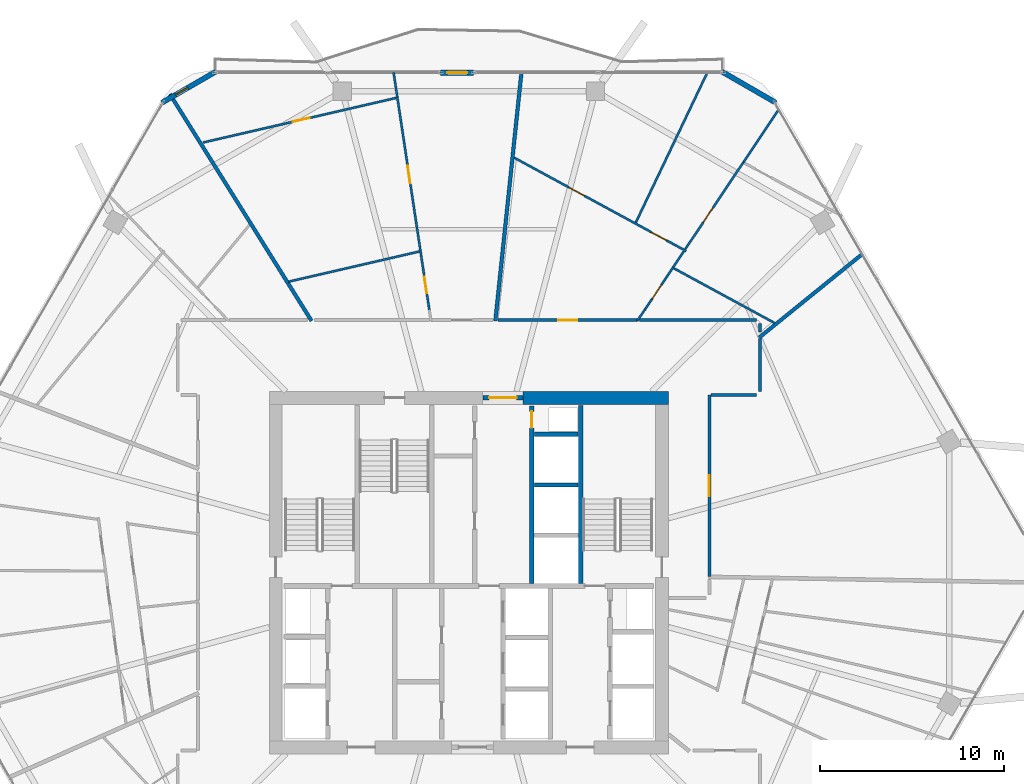
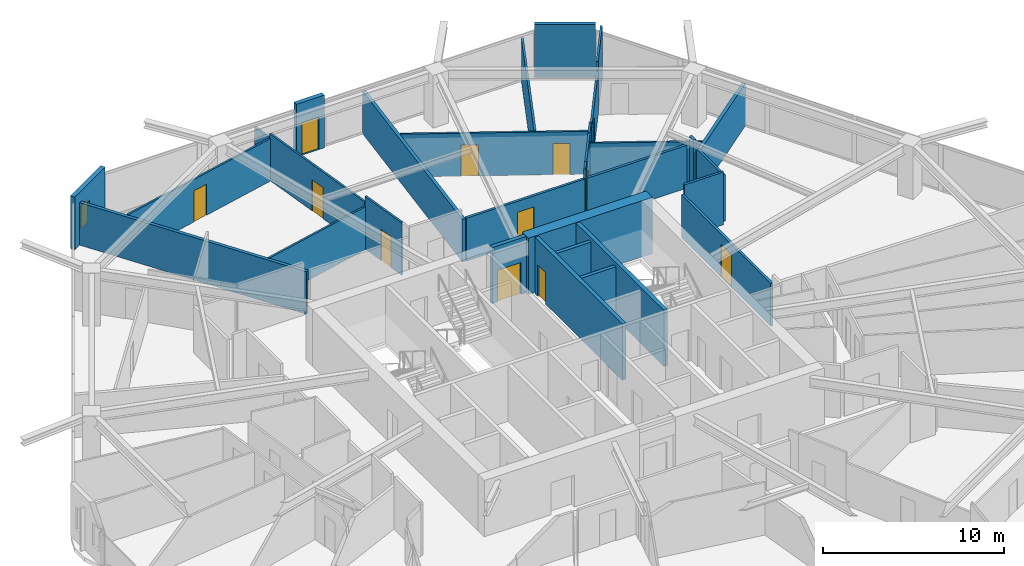
# One storey, part 23 of 27: 31 walls, 12 doors, 1 window, 13 openings.
"""IFC4 building model written with IfcOpenShell, lengths in metres."""

from ifc_helpers import new_model, si_unit, direction, frame, frame_2d, origin, place, context, subcontext, project, spatial, rectangle, extrude, material, layer, layer_set, type_object, element, fill, save


model = new_model("IFC4")

# Units and contexts
model_context = context("Model", 3, precision=1e-05, world=origin(), true_north=direction((0.0, 1.0)))
body_context = subcontext(model_context, "Body", "Model", "MODEL_VIEW")
ifc_project = project(units=[si_unit("LENGTHUNIT", "METRE"), si_unit("AREAUNIT", "SQUARE_METRE"), si_unit("VOLUMEUNIT", "CUBIC_METRE"), si_unit("PLANEANGLEUNIT", "RADIAN"), si_unit("MASSUNIT", "GRAM", prefix="KILO")], contexts=[model_context])

# Site, building, storey
site_placement = place(None, origin())
site = spatial("IfcSite", under=ifc_project, at=site_placement, CompositionType="ELEMENT")
building_placement = place(site_placement, origin())
building = spatial("IfcBuilding", under=site, at=building_placement, Name="Zuhravey Tower", CompositionType="ELEMENT")
storey_placement = place(building_placement, frame((0.0, 0.0, 173.199951171875)))
storey = spatial("IfcBuildingStorey", under=building, at=storey_placement, Name="L43", CompositionType="ELEMENT", Elevation=173.199951171875)

# Wall
ifc_material_1 = material(Name="Concrete C60/75", Category="concrete")
ifc_layer_1 = layer(ifc_material_1, 0.699951171875)
ifc_layer_set_1 = layer_set([ifc_layer_1], Name="Concrete C60/75")
wall_type_1 = type_object("IfcWallType", Name="Core Shear Wall 700", PredefinedType="SHEAR", material=ifc_layer_set_1)
wall_1_placement = place(storey_placement, frame((46.85009765625, 41.5, 0.0), z_axis=(0.0, 0.0, 1.0), x_axis=(-1.0, 0.0, 0.0)))
element("IfcWall", 1, at=wall_1_placement, inside=storey, type_object=wall_type_1, Name="L43 North-East Core Shear Wall CW70", PredefinedType="SHEAR", context=body_context, shape_type="SweptSolid", body=[
    extrude(rectangle(XDim=7.900146484375, YDim=0.699951171875, at=frame_2d((3.9501953125, 0.0))), origin(), (0.0, 0.0, 1.0), 3.800048828125),
])

# Wall, opening, door
ifc_material_2 = material(Name="Gypsum fire-rated stud partition")
ifc_layer_2 = layer(ifc_material_2, 0.159912109375)
ifc_layer_set_2 = layer_set([ifc_layer_2], Name="Gypsum fire-rated stud partition")
wall_type_2 = type_object("IfcWallType", Name="Corridor Fire Partition 160", PredefinedType="PARTITIONING", material=ifc_layer_set_2)
wall_2_placement = place(storey_placement, frame((45.160400390625, 45.72998046875, 0.0), z_axis=(0.0, 0.0, 1.0), x_axis=(-1.0, 0.0, 0.0)))
wall_2 = element("IfcWall", 2, at=wall_2_placement, inside=storey, type_object=wall_type_2, Name="L43 IW16 Partition 025", PredefinedType="PARTITIONING", context=body_context, shape_type="SweptSolid", body=[
    extrude(rectangle(XDim=7.575927734375, YDim=0.159912109375, at=frame_2d((3.7880859375, 0.0))), origin(), (0.0, 0.0, 1.0), 2.900146484375),
])
opening_1_placement = place(wall_2_placement, frame((3.262939453125, 0.0, 0.0)))
opening_1 = element("IfcOpeningElement", 3, at=opening_1_placement, cuts=wall_2, Name="Opening APD1", PredefinedType="OPENING", context=body_context, shape_type="SweptSolid", body=[
    extrude(rectangle(XDim=1.050048828125, YDim=2.14990234375, at=frame_2d((0.52490234375, 1.074951171875))), frame((0.0, 0.092041015625, 0.0), z_axis=(0.0, -1.0, 0.0), x_axis=(1.0, 0.0, 0.0)), (0.0, 0.0, 1.0), 0.183837890625),
])
ifc_material_3 = material(Name="Solid-core oak fire-rated leaf")
door_type_1 = type_object("IfcDoorType", Name="Apartment Entrance Fire Door 1050x2150", OperationType="NOTDEFINED", PredefinedType="DOOR", material=ifc_material_3)
door_1_placement = place(opening_1_placement, frame((1.050048828125, 0.0, 0.0), z_axis=(0.0, 0.0, 1.0), x_axis=(-1.0, 0.0, 0.0)))
door_1 = element("IfcDoor", 4, at=door_1_placement, inside=storey, type_object=door_type_1, Name="L43 Door 025.1", OperationType="SINGLE_SWING_LEFT", OverallHeight=2.14990234375, OverallWidth=1.050048828125, PredefinedType="DOOR", context=body_context, shape_type="SweptSolid", body=[
    extrude(rectangle(XDim=1.050048828125, YDim=2.14990234375, at=frame_2d((0.52490234375, 1.074951171875))), frame((0.0, 0.02490234375, 0.0), z_axis=(0.0, -1.0, 0.0), x_axis=(1.0, 0.0, 0.0)), (0.0, 0.0, 1.0), 0.050048828125),
])
fill(opening_1, door_1)

wall_3_placement = place(storey_placement, frame((49.080078125, 31.791748046875, 0.0), z_axis=(0.0, 0.0, 1.0), x_axis=(0.0, 1.0, 0.0)))
wall_3 = element("IfcWall", 5, at=wall_3_placement, inside=storey, type_object=wall_type_2, Name="L43 IW16 Partition 054", PredefinedType="PARTITIONING", context=body_context, shape_type="SweptSolid", body=[
    extrude(rectangle(XDim=9.878173828125, YDim=0.159912109375, at=frame_2d((4.93896484375, 0.0))), origin(), (0.0, 0.0, 1.0), 2.900146484375),
])
opening_2_placement = place(wall_3_placement, frame((4.3642578125, 0.0, 0.0)))
opening_2 = element("IfcOpeningElement", 6, at=opening_2_placement, cuts=wall_3, Name="Opening CLD1", PredefinedType="OPENING", context=body_context, shape_type="SweptSolid", body=[
    extrude(rectangle(XDim=1.14990234375, YDim=2.199951171875, at=frame_2d((0.574951171875, 1.10009765625))), frame((0.0, 0.092041015625, 0.0), z_axis=(0.0, -1.0, 0.0), x_axis=(1.0, 0.0, 0.0)), (0.0, 0.0, 1.0), 0.183837890625),
])
ifc_material_4 = material(Name="Acoustic timber leaf with vision lite", Category="wood")
door_type_2 = type_object("IfcDoorType", Name="Classroom Acoustic Door 1150x2200", OperationType="NOTDEFINED", PredefinedType="DOOR", material=ifc_material_4)
door_2_placement = place(opening_2_placement, frame((1.14990234375, 0.0, 0.0), z_axis=(0.0, 0.0, 1.0), x_axis=(-1.0, 0.0, 0.0)))
door_2 = element("IfcDoor", 7, at=door_2_placement, inside=storey, type_object=door_type_2, Name="L43 Door 054.1", OperationType="SINGLE_SWING_RIGHT", OverallHeight=2.199951171875, OverallWidth=1.14990234375, PredefinedType="DOOR", context=body_context, shape_type="SweptSolid", body=[
    extrude(rectangle(XDim=1.14990234375, YDim=2.199951171875, at=frame_2d((0.574951171875, 1.10009765625))), frame((0.0, 0.02490234375, 0.0), z_axis=(0.0, -1.0, 0.0), x_axis=(1.0, 0.0, 0.0)), (0.0, 0.0, 1.0), 0.050048828125),
])
fill(opening_2, door_2)

# Walls
wall_4_placement = place(storey_placement, frame((51.64990234375, 45.72998046875, 0.0), z_axis=(0.0, 0.0, 1.0), x_axis=(-1.0, 0.0, 0.0)))
element("IfcWall", 8, at=wall_4_placement, inside=storey, type_object=wall_type_2, Name="L43 IW16 Partition 104", PredefinedType="PARTITIONING", context=body_context, shape_type="SweptSolid", body=[
    extrude(rectangle(XDim=6.383544921875, YDim=0.159912109375, at=frame_2d((3.19189453125, 0.0))), origin(), (0.0, 0.0, 1.0), 2.900146484375),
])
wall_5_placement = place(storey_placement, frame((51.830078125, 45.0751953125, 0.0), z_axis=(0.0, 0.0, 1.0), x_axis=(0.0, 1.0, 0.0)))
element("IfcWall", 9, at=wall_5_placement, inside=storey, type_object=wall_type_2, Name="L43 IW16 Partition 105", PredefinedType="PARTITIONING", context=body_context, shape_type="SweptSolid", body=[
    extrude(rectangle(XDim=0.474853515625, YDim=0.159912109375, at=frame_2d((0.2373046875, 0.0))), origin(), (0.0, 0.0, 1.0), 3.550048828125),
])
wall_6_placement = place(storey_placement, frame((51.830078125, 41.85009765625, 0.0), z_axis=(0.0, 0.0, 1.0), x_axis=(0.0, 1.0, 0.0)))
element("IfcWall", 10, at=wall_6_placement, inside=storey, type_object=wall_type_2, Name="L43 IW16 Partition 125", PredefinedType="PARTITIONING", context=body_context, shape_type="SweptSolid", body=[
    extrude(rectangle(XDim=2.886962890625, YDim=0.159912109375, at=frame_2d((1.443359375, 0.0))), origin(), (0.0, 0.0, 1.0), 3.150146484375),
])
wall_7_placement = place(storey_placement, frame((49.16796875, 41.669921875, 0.0), z_axis=(0.0, 0.0, 1.0), x_axis=(1.0, 0.0, 0.0)))
element("IfcWall", 11, at=wall_7_placement, inside=storey, type_object=wall_type_2, Name="L43 IW16 Partition 126", PredefinedType="PARTITIONING", context=body_context, shape_type="SweptSolid", body=[
    extrude(rectangle(XDim=2.48193359375, YDim=0.159912109375, at=frame_2d((1.240966796875, 0.0))), origin(), (0.0, 0.0, 1.0), 3.550048828125),
])

# Wall, opening, window
ifc_material_5 = material(Name="Precast concrete C40/50", Category="concrete")
ifc_layer_3 = layer(ifc_material_5, 0.280029296875)
ifc_layer_set_3 = layer_set([ifc_layer_3], Name="Precast concrete C40/50")
wall_type_3 = type_object("IfcWallType", Name="Crown Architectural Wall 280", PredefinedType="SOLIDWALL", material=ifc_layer_set_3)
wall_8_placement = place(storey_placement, frame((19.306884765625, 57.548095703125, 0.0), z_axis=(0.0, 0.0, 1.0), x_axis=(0.866020068361, 0.500009241111, 0.0)))
wall_8 = element("IfcWall", 12, at=wall_8_placement, inside=storey, type_object=wall_type_3, Name="L43 Rounded Corner Closure Wall EW28-08", PredefinedType="SOLIDWALL", context=body_context, shape_type="SweptSolid", body=[
    extrude(rectangle(XDim=3.365234375, YDim=0.280029296875, at=frame_2d((1.6826171875, 0.0))), origin(), (0.0, 0.0, 1.0), 3.550048828125),
])
opening_3_placement = place(wall_8_placement, frame((0.865966796875, 0.0, 0.85009765625)))
opening_3 = element("IfcOpeningElement", 13, at=opening_3_placement, cuts=wall_8, Name="Opening WN5", PredefinedType="OPENING", context=body_context, shape_type="SweptSolid", body=[
    extrude(rectangle(XDim=0.75, YDim=1.5, at=frame_2d((0.375, 0.75))), frame((0.0, 0.152099609375, 0.0), z_axis=(0.0, -1.0, 0.0), x_axis=(1.0, 0.0, 0.0)), (0.0, 0.0, 1.0), 0.303955078125),
])
ifc_material_6 = material(Name="Thermally broken aluminium and triple low-E glass", Category="aluminium")
window_type = type_object("IfcWindowType", Name="Residential Corner Casement Window 750x1500", PartitioningType="SINGLE_PANEL", PredefinedType="WINDOW", material=ifc_material_6)
window_placement = place(opening_3_placement, origin())
window = element("IfcWindow", 14, at=window_placement, inside=storey, type_object=window_type, Name="L43 Corner Casement Window WN5-08.1", OverallHeight=1.5, OverallWidth=0.75, PartitioningType="SINGLE_PANEL", PredefinedType="WINDOW", context=body_context, shape_type="SweptSolid", body=[
    extrude(rectangle(XDim=0.75, YDim=1.5, at=frame_2d((0.375, 0.75))), frame((0.0, 0.030029296875, 0.0), z_axis=(0.0, -1.0, 0.0), x_axis=(1.0, 0.0, 0.0)), (0.0, 0.0, 1.0), 0.06005859375),
])
fill(opening_3, window)

# Wall, opening, door
wall_9_placement = place(storey_placement, frame((34.468017578125, 59.18310546875, 0.0), z_axis=(0.0, 0.0, 1.0), x_axis=(1.0, 0.0, 0.0)))
wall_9 = element("IfcWall", 15, at=wall_9_placement, inside=storey, type_object=wall_type_3, Name="L43 Face 2 Facade Pier EW28-1", PredefinedType="SOLIDWALL", context=body_context, shape_type="SweptSolid", body=[
    extrude(rectangle(XDim=1.7900390625, YDim=0.280029296875, at=frame_2d((0.89501953125, 0.0))), origin(), (0.0, 0.0, 1.0), 3.550048828125),
])
opening_4_placement = place(wall_9_placement, frame((0.344970703125, 0.0, 0.0)))
opening_4 = element("IfcOpeningElement", 16, at=opening_4_placement, cuts=wall_9, Name="Opening BLD1", PredefinedType="OPENING", context=body_context, shape_type="SweptSolid", body=[
    extrude(rectangle(XDim=1.10009765625, YDim=2.199951171875, at=frame_2d((0.550048828125, 1.10009765625))), frame((0.0, 0.152099609375, 0.0), z_axis=(0.0, -1.0, 0.0), x_axis=(1.0, 0.0, 0.0)), (0.0, 0.0, 1.0), 0.303955078125),
])
ifc_material_7 = material(Name="Thermally broken aluminium and low-E glass", Category="aluminium")
door_type_3 = type_object("IfcDoorType", Name="Balcony & Sky-Tray Glazed Door 1100x2200", OperationType="NOTDEFINED", PredefinedType="DOOR", material=ifc_material_7)
door_3_placement = place(opening_4_placement, frame((1.10009765625, 0.0, 0.0), z_axis=(0.0, 0.0, 1.0), x_axis=(-1.0, 0.0, 0.0)))
door_3 = element("IfcDoor", 17, at=door_3_placement, inside=storey, type_object=door_type_3, Name="L43 Face 2 Wave Balcony Door", OperationType="SINGLE_SWING_RIGHT", OverallHeight=2.199951171875, OverallWidth=1.10009765625, PredefinedType="DOOR", context=body_context, shape_type="SweptSolid", body=[
    extrude(rectangle(XDim=1.10009765625, YDim=2.199951171875, at=frame_2d((0.550048828125, 1.10009765625))), frame((0.0, 0.02490234375, 0.0), z_axis=(0.0, -1.0, 0.0), x_axis=(1.0, 0.0, 0.0)), (0.0, 0.0, 1.0), 0.050048828125),
])
fill(opening_4, door_3)

# Wall
wall_10_placement = place(storey_placement, frame((49.77880859375, 59.230712890625, 0.0), z_axis=(0.0, 0.0, 1.0), x_axis=(0.866020068361, -0.500009241111, 0.0)))
element("IfcWall", 18, at=wall_10_placement, inside=storey, type_object=wall_type_3, Name="L43 Rounded Corner Closure Wall EW28-10", PredefinedType="SOLIDWALL", context=body_context, shape_type="SweptSolid", body=[
    extrude(rectangle(XDim=3.365234375, YDim=0.280029296875, at=frame_2d((1.6826171875, 0.0))), origin(), (0.0, 0.0, 1.0), 3.550048828125),
])

# Wall, opening, door
ifc_material_8 = material(Name="Concrete C50/60", Category="concrete")
ifc_layer_4 = layer(ifc_material_8, 0.25)
ifc_layer_set_4 = layer_set([ifc_layer_4], Name="Concrete C50/60")
wall_type_4 = type_object("IfcWallType", Name="Firefighting Shaft & Stair Wall 250", PredefinedType="SOLIDWALL", material=ifc_layer_set_4)
wall_11_placement = place(storey_placement, frame((36.760009765625, 41.5, 0.0), z_axis=(0.0, 0.0, 1.0), x_axis=(1.0, 0.0, 0.0)))
wall_11 = element("IfcWall", 19, at=wall_11_placement, inside=storey, type_object=wall_type_4, Name="L43 FW25 Shaft Wall 002", PredefinedType="SOLIDWALL", context=body_context, shape_type="SweptSolid", body=[
    extrude(rectangle(XDim=2.179931640625, YDim=0.25, at=frame_2d((1.08984375, 0.0))), origin(), (0.0, 0.0, 1.0), 3.800048828125),
])
opening_5_placement = place(wall_11_placement, frame((0.340087890625, 0.0, 0.0)))
opening_5 = element("IfcOpeningElement", 20, at=opening_5_placement, cuts=wall_11, Name="Opening FFD1", PredefinedType="OPENING", context=body_context, shape_type="SweptSolid", body=[
    extrude(rectangle(XDim=1.5, YDim=2.14990234375, at=frame_2d((0.75, 1.074951171875))), frame((0.0, 0.136962890625, 0.0), z_axis=(0.0, -1.0, 0.0), x_axis=(1.0, 0.0, 0.0)), (0.0, 0.0, 1.0), 0.27392578125),
])
ifc_material_9 = material(Name="Galvanised fire-rated steel leaf", Category="steel")
door_type_4 = type_object("IfcDoorType", Name="Firefighting Lobby Double Door 1500x2150", OperationType="DOUBLE_DOOR_SINGLE_SWING", PredefinedType="DOOR", material=ifc_material_9)
door_4_placement = place(opening_5_placement, origin())
door_4 = element("IfcDoor", 21, at=door_4_placement, inside=storey, type_object=door_type_4, Name="L43 North Lift Lobby Exit Door", OperationType="DOUBLE_DOOR_SINGLE_SWING", OverallHeight=2.14990234375, OverallWidth=1.5, PredefinedType="DOOR", context=body_context, shape_type="SweptSolid", body=[
    extrude(rectangle(XDim=1.5, YDim=2.14990234375, at=frame_2d((0.75, 1.074951171875))), frame((0.0, 0.02490234375, 0.0), z_axis=(0.0, -1.0, 0.0), x_axis=(1.0, 0.0, 0.0)), (0.0, 0.0, 1.0), 0.050048828125),
])
fill(opening_5, door_4)

# Wall
wall_12_placement = place(storey_placement, frame((42.074951171875, 31.39990234375, 0.0), z_axis=(0.0, 0.0, 1.0), x_axis=(0.0, 1.0, 0.0)))
element("IfcWall", 22, at=wall_12_placement, inside=storey, type_object=wall_type_4, Name="L43 FW25 Shaft Wall 006", PredefinedType="SOLIDWALL", context=body_context, shape_type="SweptSolid", body=[
    extrude(rectangle(XDim=9.7001953125, YDim=0.25, at=frame_2d((4.85009765625, 0.0))), origin(), (0.0, 0.0, 1.0), 3.800048828125),
])

# Wall, opening, door
wall_13_placement = place(storey_placement, frame((39.425048828125, 31.39990234375, 0.0), z_axis=(0.0, 0.0, 1.0), x_axis=(0.0, 1.0, 0.0)))
wall_13 = element("IfcWall", 23, at=wall_13_placement, inside=storey, type_object=wall_type_4, Name="L43 FW25 Shaft Wall 008", PredefinedType="SOLIDWALL", context=body_context, shape_type="SweptSolid", body=[
    extrude(rectangle(XDim=9.650146484375, YDim=0.25, at=frame_2d((4.8251953125, 0.0))), origin(), (0.0, 0.0, 1.0), 3.800048828125),
])
opening_6_placement = place(wall_13_placement, frame((8.469970703125, 0.0, 0.0)))
opening_6 = element("IfcOpeningElement", 24, at=opening_6_placement, cuts=wall_13, Name="Opening RSD1", PredefinedType="OPENING", context=body_context, shape_type="SweptSolid", body=[
    extrude(rectangle(XDim=0.89990234375, YDim=2.10009765625, at=frame_2d((0.449951171875, 1.050048828125))), frame((0.0, 0.136962890625, 0.0), z_axis=(0.0, -1.0, 0.0), x_axis=(1.0, 0.0, 0.0)), (0.0, 0.0, 1.0), 0.27392578125),
])
ifc_material_10 = material(Name="Galvanised fire-rated steel access leaf", Category="steel")
door_type_5 = type_object("IfcDoorType", Name="Riser & Shaft Access Fire Door 900x2100", OperationType="NOTDEFINED", PredefinedType="DOOR", material=ifc_material_10)
door_5_placement = place(opening_6_placement, origin())
door_5 = element("IfcDoor", 25, at=door_5_placement, inside=storey, type_object=door_type_5, Name="L43 North Riser Door", OperationType="SINGLE_SWING_RIGHT", OverallHeight=2.10009765625, OverallWidth=0.89990234375, PredefinedType="DOOR", context=body_context, shape_type="SweptSolid", body=[
    extrude(rectangle(XDim=0.89990234375, YDim=2.10009765625, at=frame_2d((0.449951171875, 1.050048828125))), frame((0.0, 0.02490234375, 0.0), z_axis=(0.0, -1.0, 0.0), x_axis=(1.0, 0.0, 0.0)), (0.0, 0.0, 1.0), 0.050048828125),
])
fill(opening_6, door_5)

# Walls
ifc_material_11 = material(Name="Gypsum double-stud party assembly")
ifc_layer_5 = layer(ifc_material_11, 0.199951171875)
ifc_layer_set_5 = layer_set([ifc_layer_5], Name="Gypsum double-stud party assembly")
wall_type_5 = type_object("IfcWallType", Name="Inter-Tenancy Party Wall 200", PredefinedType="PARTITIONING", material=ifc_layer_set_5)
wall_14_placement = place(storey_placement, frame((51.7900390625, 44.78662109375, 0.0), z_axis=(0.0, 0.0, 1.0), x_axis=(0.777161996324, 0.629300589122, 0.0)))
element("IfcWall", 26, at=wall_14_placement, inside=storey, type_object=wall_type_5, Name="L43 IW20 Partition 061", PredefinedType="PARTITIONING", context=body_context, shape_type="SweptSolid", body=[
    extrude(rectangle(XDim=7.203857421875, YDim=0.199951171875, at=frame_2d((3.60205078125, 0.0))), origin(), (0.0, 0.0, 1.0), 2.8701171875),
])
wall_15_placement = place(storey_placement, frame((37.43896484375, 45.68994140625, 0.0), z_axis=(0.0, 0.0, 1.0), x_axis=(0.104530227492, 0.994521709939, 0.0)))
element("IfcWall", 27, at=wall_15_placement, inside=storey, type_object=wall_type_5, Name="L43 IW20 Partition 066", PredefinedType="PARTITIONING", context=body_context, shape_type="SweptSolid", body=[
    extrude(rectangle(XDim=13.5673828125, YDim=0.199951171875, at=frame_2d((6.78369140625, 0.0))), origin(), (0.0, 0.0, 1.0), 2.8701171875),
])
wall_16_placement = place(storey_placement, frame((27.445556640625, 45.68994140625, 0.0), z_axis=(0.0, 0.0, 1.0), x_axis=(-0.529915927037, 0.848050181459, 0.0)))
element("IfcWall", 28, at=wall_16_placement, inside=storey, type_object=wall_type_5, Name="L43 IW20 Partition 070", PredefinedType="PARTITIONING", context=body_context, shape_type="SweptSolid", body=[
    extrude(rectangle(XDim=14.540283203125, YDim=0.199951171875, at=frame_2d((7.27001953125, 0.0))), origin(), (0.0, 0.0, 1.0), 2.8701171875),
])
ifc_material_12 = material(Name="Gypsum acoustic stud assembly")
ifc_layer_6 = layer(ifc_material_12, 0.219970703125)
ifc_layer_set_6 = layer_set([ifc_layer_6], Name="Gypsum acoustic stud assembly")
wall_type_6 = type_object("IfcWallType", Name="School Acoustic Compartment Wall 220", PredefinedType="PARTITIONING", material=ifc_layer_set_6)
for number, where, z_axis, x_axis, name in (
    (29, (39.55810546875, 36.77490234375, 0.0), (0.0, 0.0, 1.0), (1.0, 0.0, 0.0), "L43 IW22 Partition 057"),
    (30, (39.55810546875, 39.52490234375, 0.0), (0.0, 0.0, 1.0), (1.0, 0.0, 0.0), "L43 IW22 Partition 058"),
):
    element("IfcWall", number, at=place(storey_placement, frame(where, z_axis=z_axis, x_axis=x_axis)), inside=storey, type_object=wall_type_6, Name=name, PredefinedType="PARTITIONING", context=body_context, shape_type="SweptSolid", body=[
        extrude(rectangle(XDim=2.3837890625, YDim=0.219970703125, at=frame_2d((1.19189453125, 0.0))), origin(), (0.0, 0.0, 1.0), 3.550048828125),
    ])

# Wall, openings, doors
ifc_material_13 = material(Name="Gypsum metal-stud partition")
ifc_layer_7 = layer(ifc_material_13, 0.1201171875)
ifc_layer_set_7 = layer_set([ifc_layer_7], Name="Gypsum metal-stud partition")
wall_type_7 = type_object("IfcWallType", Name="Unit Internal Partition 120", PredefinedType="PARTITIONING", material=ifc_layer_set_7)
wall_17_placement = place(storey_placement, frame((47.816162109375, 49.484375, 0.0), z_axis=(0.0, 0.0, 1.0), x_axis=(-0.878822079669, 0.477149612057, 0.0)))
wall_17 = element("IfcWall", 31, at=wall_17_placement, inside=storey, type_object=wall_type_7, Name="L43 IW12 Partition 020", PredefinedType="PARTITIONING", context=body_context, shape_type="SweptSolid", body=[
    extrude(rectangle(XDim=10.635498046875, YDim=0.1201171875, at=frame_2d((5.31787109375, 0.0))), origin(), (0.0, 0.0, 1.0), 2.900146484375),
])
opening_7_placement = place(wall_17_placement, frame((1.218017578125, 0.0, 0.0)))
opening_7 = element("IfcOpeningElement", 32, at=opening_7_placement, cuts=wall_17, Name="Opening IND1", PredefinedType="OPENING", context=body_context, shape_type="SweptSolid", body=[
    extrude(rectangle(XDim=0.949951171875, YDim=2.10009765625, at=frame_2d((0.47509765625, 1.050048828125))), frame((0.0, 0.072021484375, 0.0), z_axis=(0.0, -1.0, 0.0), x_axis=(1.0, 0.0, 0.0)), (0.0, 0.0, 1.0), 0.14404296875),
])
opening_8_placement = place(wall_17_placement, frame((6.2958984375, 0.0, 0.0)))
opening_8 = element("IfcOpeningElement", 33, at=opening_8_placement, cuts=wall_17, Name="Opening IND1", PredefinedType="OPENING", context=body_context, shape_type="SweptSolid", body=[
    extrude(rectangle(XDim=0.949951171875, YDim=2.10009765625, at=frame_2d((0.47509765625, 1.050048828125))), frame((0.0, 0.072021484375, 0.0), z_axis=(0.0, -1.0, 0.0), x_axis=(1.0, 0.0, 0.0)), (0.0, 0.0, 1.0), 0.14404296875),
])
ifc_material_14 = material(Name="Painted engineered timber leaf", Category="wood")
door_type_6 = type_object("IfcDoorType", Name="Internal Room & Bedroom Door 950x2100", OperationType="NOTDEFINED", PredefinedType="DOOR", material=ifc_material_14)
door_6_placement = place(opening_7_placement, frame((0.949951171875, 0.0, 0.0), z_axis=(0.0, 0.0, 1.0), x_axis=(-1.0, 0.0, 0.0)))
door_6 = element("IfcDoor", 34, at=door_6_placement, inside=storey, type_object=door_type_6, Name="Apartment L43-01 Family Study Door", OperationType="SINGLE_SWING_RIGHT", OverallHeight=2.10009765625, OverallWidth=0.949951171875, PredefinedType="DOOR", context=body_context, shape_type="SweptSolid", body=[
    extrude(rectangle(XDim=0.949951171875, YDim=2.10009765625, at=frame_2d((0.47509765625, 1.050048828125))), frame((0.0, 0.02490234375, 0.0), z_axis=(0.0, -1.0, 0.0), x_axis=(1.0, 0.0, 0.0)), (0.0, 0.0, 1.0), 0.050048828125),
])
fill(opening_7, door_6)
door_7_placement = place(opening_8_placement, frame((0.949951171875, 0.0, 0.0), z_axis=(0.0, 0.0, 1.0), x_axis=(-1.0, 0.0, 0.0)))
door_7 = element("IfcDoor", 35, at=door_7_placement, inside=storey, type_object=door_type_6, Name="Apartment L43-01 Dining Room Door", OperationType="SINGLE_SWING_LEFT", OverallHeight=2.10009765625, OverallWidth=0.949951171875, PredefinedType="DOOR", context=body_context, shape_type="SweptSolid", body=[
    extrude(rectangle(XDim=0.949951171875, YDim=2.10009765625, at=frame_2d((0.47509765625, 1.050048828125))), frame((0.0, 0.02490234375, 0.0), z_axis=(0.0, -1.0, 0.0), x_axis=(1.0, 0.0, 0.0)), (0.0, 0.0, 1.0), 0.050048828125),
])
fill(opening_8, door_7)

# Wall, opening, door
wall_18_placement = place(storey_placement, frame((45.56591796875, 46.300048828125, 0.0), z_axis=(0.0, 0.0, 1.0), x_axis=(0.55600296576, 0.831180306592, 0.0)))
wall_18 = element("IfcWall", 36, at=wall_18_placement, inside=storey, type_object=wall_type_7, Name="L43 IW12 Partition 021", PredefinedType="PARTITIONING", context=body_context, shape_type="SweptSolid", body=[
    extrude(rectangle(XDim=2.766357421875, YDim=0.1201171875, at=frame_2d((1.38330078125, 0.0))), origin(), (0.0, 0.0, 1.0), 3.550048828125),
])
opening_9_placement = place(wall_18_placement, frame((0.7119140625, 0.0, 0.0)))
opening_9 = element("IfcOpeningElement", 37, at=opening_9_placement, cuts=wall_18, Name="Opening WCD1", PredefinedType="OPENING", context=body_context, shape_type="SweptSolid", body=[
    extrude(rectangle(XDim=0.89990234375, YDim=2.10009765625, at=frame_2d((0.449951171875, 1.050048828125))), frame((0.0, 0.072021484375, 0.0), z_axis=(0.0, -1.0, 0.0), x_axis=(1.0, 0.0, 0.0)), (0.0, 0.0, 1.0), 0.14404296875),
])
ifc_material_15 = material(Name="Moisture-resistant timber leaf", Category="wood")
door_type_7 = type_object("IfcDoorType", Name="Bathroom & WC Internal Door 900x2100", OperationType="NOTDEFINED", PredefinedType="DOOR", material=ifc_material_15)
door_8_placement = place(opening_9_placement, frame((0.89990234375, 0.0, 0.0), z_axis=(0.0, 0.0, 1.0), x_axis=(-1.0, 0.0, 0.0)))
door_8 = element("IfcDoor", 38, at=door_8_placement, inside=storey, type_object=door_type_7, Name="Apartment L43-01 Bathroom Door", OperationType="SINGLE_SWING_RIGHT", OverallHeight=2.10009765625, OverallWidth=0.89990234375, PredefinedType="DOOR", context=body_context, shape_type="SweptSolid", body=[
    extrude(rectangle(XDim=0.89990234375, YDim=2.10009765625, at=frame_2d((0.449951171875, 1.050048828125))), frame((0.0, 0.02490234375, 0.0), z_axis=(0.0, -1.0, 0.0), x_axis=(1.0, 0.0, 0.0)), (0.0, 0.0, 1.0), 0.050048828125),
])
fill(opening_9, door_8)

# Wall
wall_19_placement = place(storey_placement, frame((47.10400390625, 48.599365234375, 0.0), z_axis=(0.0, 0.0, 1.0), x_axis=(0.555875532835, 0.831265536393, 0.0)))
element("IfcWall", 39, at=wall_19_placement, inside=storey, type_object=wall_type_7, Name="L43 IW12 Partition 022", PredefinedType="PARTITIONING", context=body_context, shape_type="SweptSolid", body=[
    extrude(rectangle(XDim=1.05419921875, YDim=0.1201171875, at=frame_2d((0.527099609375, 0.0))), origin(), (0.0, 0.0, 1.0), 3.550048828125),
])

# Wall, opening, door
wall_20_placement = place(storey_placement, frame((47.765869140625, 49.589111328125, 0.0), z_axis=(0.0, 0.0, 1.0), x_axis=(0.556024553712, 0.831165865317, 0.0)))
wall_20 = element("IfcWall", 40, at=wall_20_placement, inside=storey, type_object=wall_type_7, Name="L43 IW12 Partition 023", PredefinedType="PARTITIONING", context=body_context, shape_type="SweptSolid", body=[
    extrude(rectangle(XDim=5.697509765625, YDim=0.1201171875, at=frame_2d((2.8486328125, 0.0))), origin(), (0.0, 0.0, 1.0), 2.8701171875),
])
opening_10_placement = place(wall_20_placement, frame((1.75341796875, 0.0, 0.0)))
opening_10 = element("IfcOpeningElement", 41, at=opening_10_placement, cuts=wall_20, Name="Opening IND1", PredefinedType="OPENING", context=body_context, shape_type="SweptSolid", body=[
    extrude(rectangle(XDim=0.949951171875, YDim=2.10009765625, at=frame_2d((0.47509765625, 1.050048828125))), frame((0.0, 0.072021484375, 0.0), z_axis=(0.0, -1.0, 0.0), x_axis=(1.0, 0.0, 0.0)), (0.0, 0.0, 1.0), 0.14404296875),
])
door_9_placement = place(opening_10_placement, frame((0.949951171875, 0.0, 0.0), z_axis=(0.0, 0.0, 1.0), x_axis=(-1.0, 0.0, 0.0)))
door_9 = element("IfcDoor", 42, at=door_9_placement, inside=storey, type_object=door_type_6, Name="Apartment L43-01 Home Office Door", OperationType="SINGLE_SWING_LEFT", OverallHeight=2.10009765625, OverallWidth=0.949951171875, PredefinedType="DOOR", context=body_context, shape_type="SweptSolid", body=[
    extrude(rectangle(XDim=0.949951171875, YDim=2.10009765625, at=frame_2d((0.47509765625, 1.050048828125))), frame((0.0, 0.02490234375, 0.0), z_axis=(0.0, -1.0, 0.0), x_axis=(1.0, 0.0, 0.0)), (0.0, 0.0, 1.0), 0.050048828125),
])
fill(opening_10, door_9)

wall_21_placement = place(storey_placement, frame((33.84765625, 46.300048828125, 0.0), z_axis=(0.0, 0.0, 1.0), x_axis=(-0.148934116093, 0.988847121179, 0.0)))
wall_21 = element("IfcWall", 43, at=wall_21_placement, inside=storey, type_object=wall_type_7, Name="L43 IW12 Partition 026", PredefinedType="PARTITIONING", context=body_context, shape_type="SweptSolid", body=[
    extrude(rectangle(XDim=3.237548828125, YDim=0.1201171875, at=frame_2d((1.61865234375, 0.0))), origin(), (0.0, 0.0, 1.0), 3.550048828125),
])
opening_11_placement = place(wall_21_placement, frame((0.909912109375, 0.0, 0.0)))
opening_11 = element("IfcOpeningElement", 44, at=opening_11_placement, cuts=wall_21, Name="Opening WCD1", PredefinedType="OPENING", context=body_context, shape_type="SweptSolid", body=[
    extrude(rectangle(XDim=0.89990234375, YDim=2.10009765625, at=frame_2d((0.449951171875, 1.050048828125))), frame((0.0, 0.072021484375, 0.0), z_axis=(0.0, -1.0, 0.0), x_axis=(1.0, 0.0, 0.0)), (0.0, 0.0, 1.0), 0.14404296875),
])
door_10_placement = place(opening_11_placement, origin())
door_10 = element("IfcDoor", 45, at=door_10_placement, inside=storey, type_object=door_type_7, Name="Apartment L43-02 Bathroom Door", OperationType="SINGLE_SWING_RIGHT", OverallHeight=2.10009765625, OverallWidth=0.89990234375, PredefinedType="DOOR", context=body_context, shape_type="SweptSolid", body=[
    extrude(rectangle(XDim=0.89990234375, YDim=2.10009765625, at=frame_2d((0.449951171875, 1.050048828125))), frame((0.0, 0.02490234375, 0.0), z_axis=(0.0, -1.0, 0.0), x_axis=(1.0, 0.0, 0.0)), (0.0, 0.0, 1.0), 0.050048828125),
])
fill(opening_11, door_10)

wall_22_placement = place(storey_placement, frame((33.365478515625, 49.50146484375, 0.0), z_axis=(0.0, 0.0, 1.0), x_axis=(-0.148816904755, 0.988864767731, 0.0)))
wall_22 = element("IfcWall", 46, at=wall_22_placement, inside=storey, type_object=wall_type_7, Name="L43 IW12 Partition 027", PredefinedType="PARTITIONING", context=body_context, shape_type="SweptSolid", body=[
    extrude(rectangle(XDim=8.44384765625, YDim=0.1201171875, at=frame_2d((4.221923828125, 0.0))), origin(), (0.0, 0.0, 1.0), 3.150146484375),
])
opening_12_placement = place(wall_22_placement, frame((3.721923828125, 0.0, 0.0)))
opening_12 = element("IfcOpeningElement", 47, at=opening_12_placement, cuts=wall_22, Name="Opening IND1", PredefinedType="OPENING", context=body_context, shape_type="SweptSolid", body=[
    extrude(rectangle(XDim=0.949951171875, YDim=2.10009765625, at=frame_2d((0.47509765625, 1.050048828125))), frame((0.0, 0.072021484375, 0.0), z_axis=(0.0, -1.0, 0.0), x_axis=(1.0, 0.0, 0.0)), (0.0, 0.0, 1.0), 0.14404296875),
])
door_11_placement = place(opening_12_placement, origin())
door_11 = element("IfcDoor", 48, at=door_11_placement, inside=storey, type_object=door_type_6, Name="Apartment L43-02 Home Office Door", OperationType="SINGLE_SWING_LEFT", OverallHeight=2.10009765625, OverallWidth=0.949951171875, PredefinedType="DOOR", context=body_context, shape_type="SweptSolid", body=[
    extrude(rectangle(XDim=0.949951171875, YDim=2.10009765625, at=frame_2d((0.47509765625, 1.050048828125))), frame((0.0, 0.02490234375, 0.0), z_axis=(0.0, -1.0, 0.0), x_axis=(1.0, 0.0, 0.0)), (0.0, 0.0, 1.0), 0.050048828125),
])
fill(opening_12, door_11)

wall_23_placement = place(storey_placement, frame((32.046142578125, 57.811279296875, 0.0), z_axis=(0.0, 0.0, 1.0), x_axis=(-0.974371328586, -0.22494558015, 0.0)))
wall_23 = element("IfcWall", 49, at=wall_23_placement, inside=storey, type_object=wall_type_7, Name="L43 IW12 Partition 028", PredefinedType="PARTITIONING", context=body_context, shape_type="SweptSolid", body=[
    extrude(rectangle(XDim=10.77197265625, YDim=0.1201171875, at=frame_2d((5.385986328125, 0.0))), origin(), (0.0, 0.0, 1.0), 2.8701171875),
])
opening_13_placement = place(wall_23_placement, frame((4.826416015625, 0.0, 0.0)))
opening_13 = element("IfcOpeningElement", 50, at=opening_13_placement, cuts=wall_23, Name="Opening IND1", PredefinedType="OPENING", context=body_context, shape_type="SweptSolid", body=[
    extrude(rectangle(XDim=0.949951171875, YDim=2.10009765625, at=frame_2d((0.47509765625, 1.050048828125))), frame((0.0, 0.072021484375, 0.0), z_axis=(0.0, -1.0, 0.0), x_axis=(1.0, 0.0, 0.0)), (0.0, 0.0, 1.0), 0.14404296875),
])
door_12_placement = place(opening_13_placement, frame((0.949951171875, 0.0, 0.0), z_axis=(0.0, 0.0, 1.0), x_axis=(-1.0, 0.0, 0.0)))
door_12 = element("IfcDoor", 51, at=door_12_placement, inside=storey, type_object=door_type_6, Name="Apartment L43-02 Bedroom 1 Door", OperationType="SINGLE_SWING_RIGHT", OverallHeight=2.10009765625, OverallWidth=0.949951171875, PredefinedType="DOOR", context=body_context, shape_type="SweptSolid", body=[
    extrude(rectangle(XDim=0.949951171875, YDim=2.10009765625, at=frame_2d((0.47509765625, 1.050048828125))), frame((0.0, 0.02490234375, 0.0), z_axis=(0.0, -1.0, 0.0), x_axis=(1.0, 0.0, 0.0)), (0.0, 0.0, 1.0), 0.050048828125),
])
fill(opening_13, door_12)

# Walls
wall_24_placement = place(storey_placement, frame((45.080810546875, 51.046875, 0.0), z_axis=(0.0, 0.0, 1.0), x_axis=(0.430349402059, 0.902662391012, 0.0)))
element("IfcWall", 52, at=wall_24_placement, inside=storey, type_object=wall_type_7, Name="L43 IW12 Partition 062", PredefinedType="PARTITIONING", context=body_context, shape_type="SweptSolid", body=[
    extrude(rectangle(XDim=9.046875, YDim=0.1201171875, at=frame_2d((4.5234375, 0.0))), origin(), (0.0, 0.0, 1.0), 2.8701171875),
])
wall_25_placement = place(storey_placement, frame((45.160400390625, 45.694091796875, 0.0), z_axis=(0.0, 0.0, 1.0), x_axis=(0.556167472671, 0.831070239115, 0.0)))
element("IfcWall", 53, at=wall_25_placement, inside=storey, type_object=wall_type_7, Name="L43 IW12 Partition 063", PredefinedType="PARTITIONING", context=body_context, shape_type="SweptSolid", body=[
    extrude(rectangle(XDim=0.729248046875, YDim=0.1201171875, at=frame_2d((0.36474609375, 0.0))), origin(), (0.0, 0.0, 1.0), 3.550048828125),
])
wall_26_placement = place(storey_placement, frame((50.933837890625, 54.32470703125, 0.0), z_axis=(0.0, 0.0, 1.0), x_axis=(0.556024334098, 0.831166012233, 0.0)))
element("IfcWall", 54, at=wall_26_placement, inside=storey, type_object=wall_type_7, Name="L43 IW12 Partition 064", PredefinedType="PARTITIONING", context=body_context, shape_type="SweptSolid", body=[
    extrude(rectangle(XDim=3.444580078125, YDim=0.1201171875, at=frame_2d((1.72216796875, 0.0))), origin(), (0.0, 0.0, 1.0), 3.550048828125),
])
wall_27_placement = place(storey_placement, frame((52.60400390625, 45.584716796875, 0.0), z_axis=(0.0, 0.0, 1.0), x_axis=(-0.878827510453, 0.477139609413, 0.0)))
element("IfcWall", 55, at=wall_27_placement, inside=storey, type_object=wall_type_7, Name="L43 IW12 Partition 065", PredefinedType="PARTITIONING", context=body_context, shape_type="SweptSolid", body=[
    extrude(rectangle(XDim=6.2060546875, YDim=0.1201171875, at=frame_2d((3.10302734375, 0.0))), origin(), (0.0, 0.0, 1.0), 2.900146484375),
])
wall_28_placement = place(storey_placement, frame((32.10888671875, 57.851318359375, 0.0), z_axis=(0.0, 0.0, 1.0), x_axis=(-0.148826194804, 0.988863369602, 0.0)))
element("IfcWall", 56, at=wall_28_placement, inside=storey, type_object=wall_type_7, Name="L43 IW12 Partition 068", PredefinedType="PARTITIONING", context=body_context, shape_type="SweptSolid", body=[
    extrude(rectangle(XDim=1.351806640625, YDim=0.1201171875, at=frame_2d((0.67578125, 0.0))), origin(), (0.0, 0.0, 1.0), 2.8701171875),
])
wall_29_placement = place(storey_placement, frame((33.302978515625, 49.46142578125, 0.0), z_axis=(0.0, 0.0, 1.0), x_axis=(-0.97437372251, -0.224935210409, 0.0)))
element("IfcWall", 57, at=wall_29_placement, inside=storey, type_object=wall_type_7, Name="L43 IW12 Partition 069", PredefinedType="PARTITIONING", context=body_context, shape_type="SweptSolid", body=[
    extrude(rectangle(XDim=7.30126953125, YDim=0.1201171875, at=frame_2d((3.650634765625, 0.0))), origin(), (0.0, 0.0, 1.0), 2.900146484375),
])

save(model, "model.ifc")
